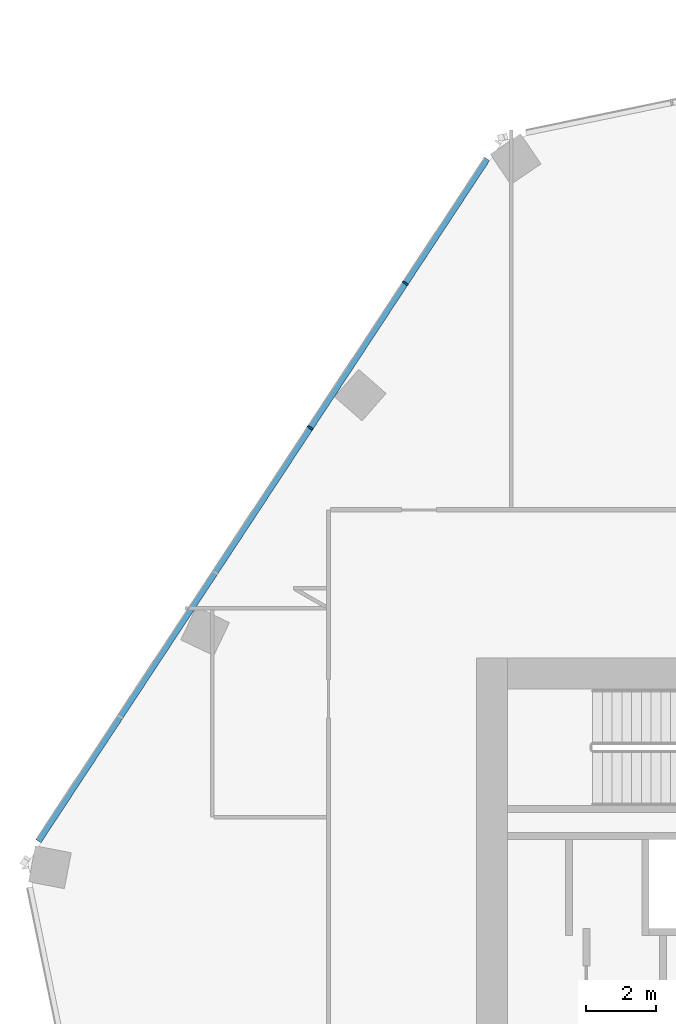
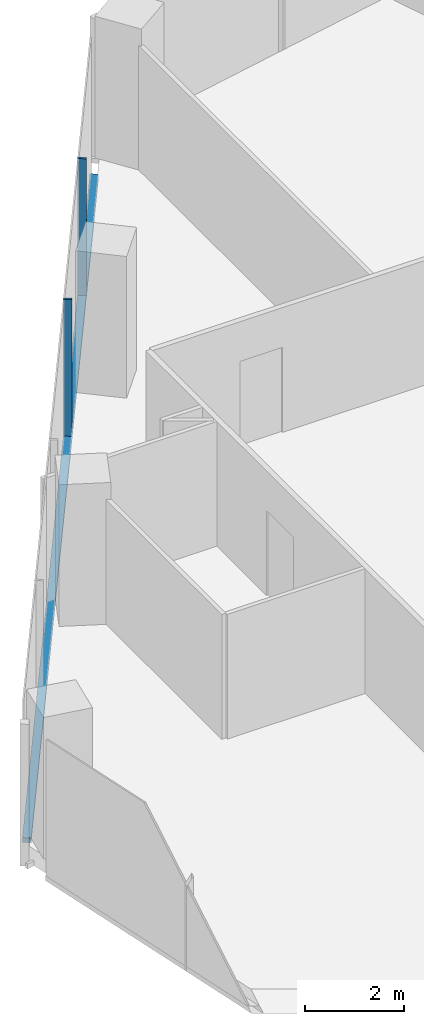
# One storey, part 7 of 24: 3 members, 1 element without a shape of its own.
"""IFC4 building model written with IfcOpenShell, lengths in metres."""

from ifc_helpers import new_model, si_unit, direction, frame, origin, origin_2d, place, context, subcontext, project, spatial, rectangle, extrude, material, material_profile, profile_set, type_object, element, aggregate, save


model = new_model("IFC4")

# Units and contexts
model_context = context("Model", 3, precision=1e-05, world=origin(), true_north=direction((0.0, 1.0)))
body_context = subcontext(model_context, "Body", "Model", "MODEL_VIEW")
ifc_project = project(units=[si_unit("LENGTHUNIT", "METRE"), si_unit("AREAUNIT", "SQUARE_METRE"), si_unit("VOLUMEUNIT", "CUBIC_METRE"), si_unit("PLANEANGLEUNIT", "RADIAN"), si_unit("MASSUNIT", "GRAM", prefix="KILO")], contexts=[model_context])

# Site, building, storey
site_placement = place(None, origin())
site = spatial("IfcSite", under=ifc_project, at=site_placement, CompositionType="ELEMENT")
building_placement = place(site_placement, origin())
building = spatial("IfcBuilding", under=site, at=building_placement, Name="Orlundy Tower", CompositionType="ELEMENT")
storey_placement = place(building_placement, frame((0.0, 0.0, 242.5)))
storey = spatial("IfcBuildingStorey", under=building, at=storey_placement, Name="L64", CompositionType="ELEMENT", Elevation=242.5)

# Curtain wall, members
ifc_material_1 = material(Name="Aluminium bronze anodised", Category="aluminium")
curtain_wall_type = type_object("IfcCurtainWallType", Name="CW1 wall", PredefinedType="NOTDEFINED", material=ifc_material_1)
curtain_wall_placement = place(storey_placement, origin())
curtain_wall = element("IfcCurtainWall", 1, at=curtain_wall_placement, inside=storey, type_object=curtain_wall_type, Name="CW1 run 015", PredefinedType="NOTDEFINED")
ifc_material_2 = material(Name="Aluminium bronze anodised", Category="aluminium")
ifc_material_profile_1 = material_profile(ifc_material_2, rectangle(XDim=0.179931640625, YDim=0.050048828125, at=origin_2d()), Name="CW1 mullion 50x180")
ifc_profile_set_1 = profile_set([ifc_material_profile_1], Name="Aluminium bronze anodised")
member_type_1 = type_object("IfcMemberType", Name="CW1 mullion 50x180", PredefinedType="MULLION", material=ifc_profile_set_1)
member_1_placement = place(storey_placement, frame((-23.77392578125, 18.61083984375, -0.39990234375), z_axis=(0.0, 0.0, 1.0), x_axis=(-0.835482225793, 0.5495174705, 0.0)))
member_1 = element("IfcMember", 2, at=member_1_placement, type_object=member_type_1, Name="CW1 mullion 30", PredefinedType="MULLION", context=body_context, shape_type="SweptSolid", body=[
    extrude(rectangle(XDim=0.179931640625, YDim=0.050048828125, at=origin_2d()), origin(), (0.0, 0.0, 1.0), 3.5),
])
member_2_placement = place(storey_placement, frame((-21.04248046875, 22.763671875, -0.39990234375), z_axis=(0.0, 0.0, 1.0), x_axis=(-0.835482225793, 0.5495174705, 0.0)))
member_2 = element("IfcMember", 3, at=member_2_placement, type_object=member_type_1, Name="CW1 mullion 31", PredefinedType="MULLION", context=body_context, shape_type="SweptSolid", body=[
    extrude(rectangle(XDim=0.179931640625, YDim=0.050048828125, at=origin_2d()), origin(), (0.0, 0.0, 1.0), 3.5),
])
ifc_material_3 = material(Name="Aluminium bronze anodised", Category="aluminium")
ifc_material_profile_2 = material_profile(ifc_material_3, rectangle(XDim=0.179931640625, YDim=0.1201171875, at=origin_2d()), Name="CW1 transom 180x120")
ifc_profile_set_2 = profile_set([ifc_material_profile_2], Name="Aluminium bronze anodised")
member_type_2 = type_object("IfcMemberType", Name="CW1 transom 180x120", PredefinedType="USERDEFINED", material=ifc_profile_set_2)
member_3_placement = place(storey_placement, frame((-31.587158203125, 6.731689453125, -0.340087890625), z_axis=(0.549515607756, 0.835483450963, 0.0), x_axis=(-0.835483450963, 0.549515607756, 0.0)))
member_3 = element("IfcMember", 4, at=member_3_placement, type_object=member_type_2, Name="CW1 transom", ObjectType="TRANSOM", PredefinedType="USERDEFINED", context=body_context, shape_type="SweptSolid", body=[
    extrude(rectangle(XDim=0.179931640625, YDim=0.1201171875, at=origin_2d()), origin(), (0.0, 0.0, 1.0), 23.466552734375),
])
aggregate(curtain_wall, [member_1, member_2, member_3])

save(model, "model.ifc")
